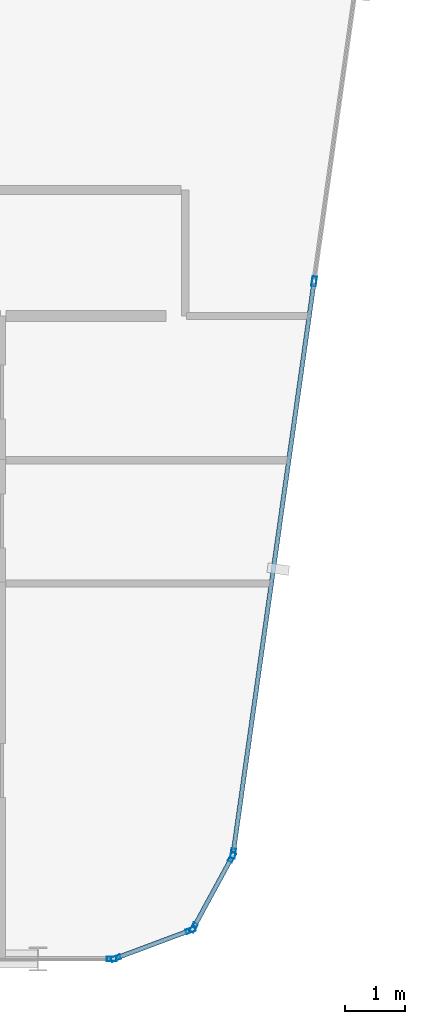
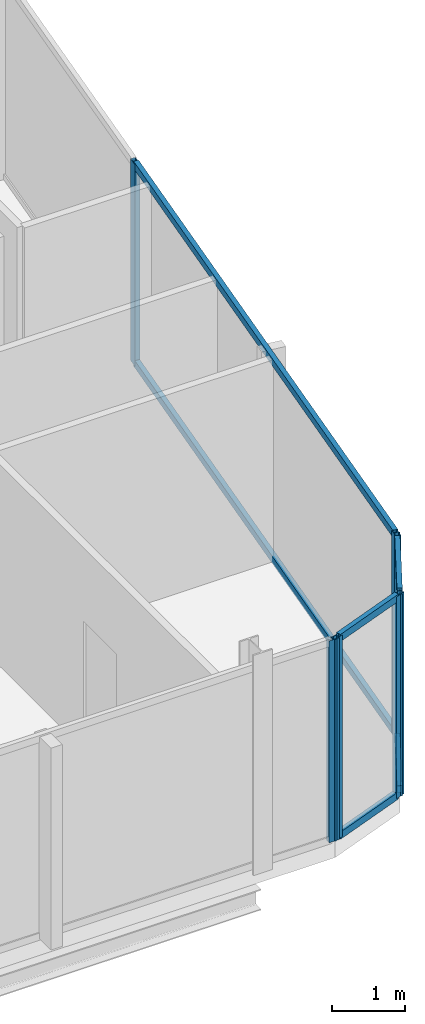
# One storey, part 12 of 28: 13 members, 4 elements without a shape of their own.
"""IFC4 building model written with IfcOpenShell, lengths in metres."""

from ifc_helpers import new_model, si_unit, direction, frame, origin, origin_2d, place, context, subcontext, project, spatial, hollow_rectangle, extrude, material, layer, layer_set, material_profile, profile_set, type_object, element, aggregate, save


model = new_model("IFC4")

# Units and contexts
model_context = context("Model", 3, precision=1e-05, world=origin(), true_north=direction((0.0, 1.0)))
body_context = subcontext(model_context, "Body", "Model", "MODEL_VIEW")
ifc_project = project(units=[si_unit("LENGTHUNIT", "METRE"), si_unit("AREAUNIT", "SQUARE_METRE"), si_unit("VOLUMEUNIT", "CUBIC_METRE"), si_unit("PLANEANGLEUNIT", "RADIAN"), si_unit("MASSUNIT", "GRAM", prefix="KILO")], contexts=[model_context])

# Site, building, storey
site_placement = place(None, origin())
site = spatial("IfcSite", under=ifc_project, at=site_placement, CompositionType="ELEMENT")
building_placement = place(site_placement, origin())
building = spatial("IfcBuilding", under=site, at=building_placement, Name="Keshet Zoharim Tower", CompositionType="ELEMENT")
storey_placement = place(building_placement, frame((0.0, 0.0, 251.0)))
storey = spatial("IfcBuildingStorey", under=building, at=storey_placement, Name="L62", CompositionType="ELEMENT", Elevation=251.0)

# Curtain wall, members
ifc_material = material(Name="Aluminium 6063-T6", Category="aluminium")
ifc_layer = layer(ifc_material, 0.260009765625)
ifc_layer_set = layer_set([ifc_layer], Name="Aluminium 6063-T6")
curtain_wall_type = type_object("IfcCurtainWallType", Name="CW-SYS-06", PredefinedType="NOTDEFINED", material=ifc_layer_set)
curtain_wall_1_placement = place(storey_placement, origin())
curtain_wall_1 = element("IfcCurtainWall", 1, at=curtain_wall_1_placement, inside=storey, type_object=curtain_wall_type, Name="L62 Unitised Curtain Wall 11", PredefinedType="NOTDEFINED")
ifc_material_profile_1 = material_profile(ifc_material, hollow_rectangle(XDim=0.074951171875, YDim=0.159912109375, WallThickness=0.00390625, at=origin_2d()), Name="MUL-75x160")
ifc_profile_set_1 = profile_set([ifc_material_profile_1], Name="Aluminium 6063-T6")
member_type_1 = type_object("IfcMemberType", Name="CWM-M15", PredefinedType="MULLION", material=ifc_profile_set_1)
member_1_placement = place(storey_placement, frame((43.595458984375, 17.97607421875, 0.0), z_axis=(0.0, 0.0, 1.0), x_axis=(0.990132057422, -0.140137464177, 0.0)))
member_1 = element("IfcMember", 2, at=member_1_placement, type_object=member_type_1, Name="CW-06 mullion 2", PredefinedType="MULLION", context=body_context, shape_type="SweptSolid", body=[
    extrude(hollow_rectangle(XDim=0.074951171875, YDim=0.159912109375, WallThickness=0.00390625, at=origin_2d()), origin(), (0.0, 0.0, 1.0), 3.389892578125),
])
member_2_placement = place(storey_placement, frame((42.247802734375, 8.45458984375, 0.0), z_axis=(0.0, 0.0, 1.0), x_axis=(0.990132057422, -0.140137464177, 0.0)))
member_2 = element("IfcMember", 3, at=member_2_placement, type_object=member_type_1, Name="CW-06 mullion 3", PredefinedType="MULLION", context=body_context, shape_type="SweptSolid", body=[
    extrude(hollow_rectangle(XDim=0.074951171875, YDim=0.159912109375, WallThickness=0.00390625, at=origin_2d()), origin(), (0.0, 0.0, 1.0), 3.389892578125),
])

curtain_wall_2_placement = place(storey_placement, origin())
curtain_wall_2 = element("IfcCurtainWall", 4, at=curtain_wall_2_placement, inside=storey, type_object=curtain_wall_type, Name="L62 Unitised Curtain Wall 12", PredefinedType="NOTDEFINED")
member_3_placement = place(storey_placement, frame((42.226318359375, 8.38916015625, 0.0), z_axis=(0.0, 0.0, 1.0), x_axis=(0.878468125004, -0.477800955789, 0.0)))
member_3 = element("IfcMember", 5, at=member_3_placement, type_object=member_type_1, Name="CW-06 mullion 1", PredefinedType="MULLION", context=body_context, shape_type="SweptSolid", body=[
    extrude(hollow_rectangle(XDim=0.074951171875, YDim=0.159912109375, WallThickness=0.00390625, at=origin_2d()), origin(), (0.0, 0.0, 1.0), 3.389892578125),
])
member_4_placement = place(storey_placement, frame((41.5908203125, 7.220703125, 0.0), z_axis=(0.0, 0.0, 1.0), x_axis=(0.878468125004, -0.477800955789, 0.0)))
member_4 = element("IfcMember", 6, at=member_4_placement, type_object=member_type_1, Name="CW-06 mullion 2", PredefinedType="MULLION", context=body_context, shape_type="SweptSolid", body=[
    extrude(hollow_rectangle(XDim=0.074951171875, YDim=0.159912109375, WallThickness=0.00390625, at=origin_2d()), origin(), (0.0, 0.0, 1.0), 3.389892578125),
])

curtain_wall_3_placement = place(storey_placement, origin())
curtain_wall_3 = element("IfcCurtainWall", 7, at=curtain_wall_3_placement, inside=storey, type_object=curtain_wall_type, Name="L62 Unitised Curtain Wall 13", PredefinedType="NOTDEFINED")
member_5_placement = place(storey_placement, frame((41.541259765625, 7.177734375, 0.0), z_axis=(0.0, 0.0, 1.0), x_axis=(0.350105315376, -0.936710343781, 0.0)))
member_5 = element("IfcMember", 8, at=member_5_placement, type_object=member_type_1, Name="CW-06 mullion 1", PredefinedType="MULLION", context=body_context, shape_type="SweptSolid", body=[
    extrude(hollow_rectangle(XDim=0.074951171875, YDim=0.159912109375, WallThickness=0.00390625, at=origin_2d()), origin(), (0.0, 0.0, 1.0), 3.389892578125),
])
member_6_placement = place(storey_placement, frame((40.2958984375, 6.712158203125, 0.0), z_axis=(0.0, 0.0, 1.0), x_axis=(0.350105315376, -0.936710343781, 0.0)))
member_6 = element("IfcMember", 9, at=member_6_placement, type_object=member_type_1, Name="CW-06 mullion 2", PredefinedType="MULLION", context=body_context, shape_type="SweptSolid", body=[
    extrude(hollow_rectangle(XDim=0.074951171875, YDim=0.159912109375, WallThickness=0.00390625, at=origin_2d()), origin(), (0.0, 0.0, 1.0), 3.389892578125),
])

# Curtain wall, member
curtain_wall_4_placement = place(storey_placement, origin())
curtain_wall_4 = element("IfcCurtainWall", 10, at=curtain_wall_4_placement, inside=storey, type_object=curtain_wall_type, Name="L62 Unitised Curtain Wall 14", PredefinedType="NOTDEFINED")
member_7_placement = place(storey_placement, frame((40.22802734375, 6.699951171875, 0.0), z_axis=(0.0, 0.0, 1.0), x_axis=(0.0, -1.0, 0.0)))
member_7 = element("IfcMember", 11, at=member_7_placement, type_object=member_type_1, Name="CW-06 mullion 1", PredefinedType="MULLION", context=body_context, shape_type="SweptSolid", body=[
    extrude(hollow_rectangle(XDim=0.074951171875, YDim=0.159912109375, WallThickness=0.00390625, at=origin_2d()), origin(), (0.0, 0.0, 1.0), 3.389892578125),
])
aggregate(curtain_wall_4, [member_7])

# Member
ifc_material_profile_2 = material_profile(ifc_material, hollow_rectangle(XDim=0.074951171875, YDim=0.1201171875, WallThickness=0.00390625, at=origin_2d()), Name="TRN-75x120")
ifc_profile_set_2 = profile_set([ifc_material_profile_2], Name="Aluminium 6063-T6")
member_type_2 = type_object("IfcMemberType", Name="CWT-T12", PredefinedType="USERDEFINED", material=ifc_profile_set_2)
member_8_placement = place(storey_placement, frame((43.590576171875, 17.94140625, 0.034912109375), z_axis=(-0.14012154881, -0.990134309859, 0.0), x_axis=(0.990134309859, -0.14012154881, 0.0)))
member_8 = element("IfcMember", 12, at=member_8_placement, type_object=member_type_2, Name="CW-06 transom 2.1", ObjectType="TRANSOM", PredefinedType="USERDEFINED", context=body_context, shape_type="SweptSolid", body=[
    extrude(hollow_rectangle(XDim=0.074951171875, YDim=0.1201171875, WallThickness=0.00390625, at=origin_2d()), origin(), (0.0, 0.0, 1.0), 9.54638671875),
])

member_9_placement = place(storey_placement, frame((43.590576171875, 17.94140625, 3.35498046875), z_axis=(-0.14012154881, -0.990134309859, 0.0), x_axis=(0.990134309859, -0.14012154881, 0.0)))
member_9 = element("IfcMember", 13, at=member_9_placement, type_object=member_type_2, Name="CW-06 transom 2.2", ObjectType="TRANSOM", PredefinedType="USERDEFINED", context=body_context, shape_type="SweptSolid", body=[
    extrude(hollow_rectangle(XDim=0.074951171875, YDim=0.1201171875, WallThickness=0.00390625, at=origin_2d()), origin(), (0.0, 0.0, 1.0), 9.54638671875),
])

aggregate(curtain_wall_1, [member_1, member_2, member_8, member_9])

member_10_placement = place(storey_placement, frame((42.20947265625, 8.3583984375, 0.034912109375), z_axis=(-0.47779293276, -0.878472488701, 0.0), x_axis=(0.878472488701, -0.47779293276, 0.0)))
member_10 = element("IfcMember", 14, at=member_10_placement, type_object=member_type_2, Name="CW-06 transom 1.1", ObjectType="TRANSOM", PredefinedType="USERDEFINED", context=body_context, shape_type="SweptSolid", body=[
    extrude(hollow_rectangle(XDim=0.074951171875, YDim=0.1201171875, WallThickness=0.00390625, at=origin_2d()), origin(), (0.0, 0.0, 1.0), 1.260009765625),
])

member_11_placement = place(storey_placement, frame((42.20947265625, 8.3583984375, 3.35498046875), z_axis=(-0.47779293276, -0.878472488701, 0.0), x_axis=(0.878472488701, -0.47779293276, 0.0)))
member_11 = element("IfcMember", 15, at=member_11_placement, type_object=member_type_2, Name="CW-06 transom 1.2", ObjectType="TRANSOM", PredefinedType="USERDEFINED", context=body_context, shape_type="SweptSolid", body=[
    extrude(hollow_rectangle(XDim=0.074951171875, YDim=0.1201171875, WallThickness=0.00390625, at=origin_2d()), origin(), (0.0, 0.0, 1.0), 1.260009765625),
])

aggregate(curtain_wall_2, [member_3, member_4, member_10, member_11])

member_12_placement = place(storey_placement, frame((41.508544921875, 7.16552734375, 0.034912109375), z_axis=(-0.93673477759, -0.350039935512, 0.0), x_axis=(0.350039935512, -0.93673477759, 0.0)))
member_12 = element("IfcMember", 16, at=member_12_placement, type_object=member_type_2, Name="CW-06 transom 1.1", ObjectType="TRANSOM", PredefinedType="USERDEFINED", context=body_context, shape_type="SweptSolid", body=[
    extrude(hollow_rectangle(XDim=0.074951171875, YDim=0.1201171875, WallThickness=0.00390625, at=origin_2d()), origin(), (0.0, 0.0, 1.0), 1.259521484375),
])

member_13_placement = place(storey_placement, frame((41.508544921875, 7.16552734375, 3.35498046875), z_axis=(-0.93673477759, -0.350039935512, 0.0), x_axis=(0.350039935512, -0.93673477759, 0.0)))
member_13 = element("IfcMember", 17, at=member_13_placement, type_object=member_type_2, Name="CW-06 transom 1.2", ObjectType="TRANSOM", PredefinedType="USERDEFINED", context=body_context, shape_type="SweptSolid", body=[
    extrude(hollow_rectangle(XDim=0.074951171875, YDim=0.1201171875, WallThickness=0.00390625, at=origin_2d()), origin(), (0.0, 0.0, 1.0), 1.259521484375),
])

aggregate(curtain_wall_3, [member_5, member_6, member_12, member_13])

save(model, "model.ifc")
